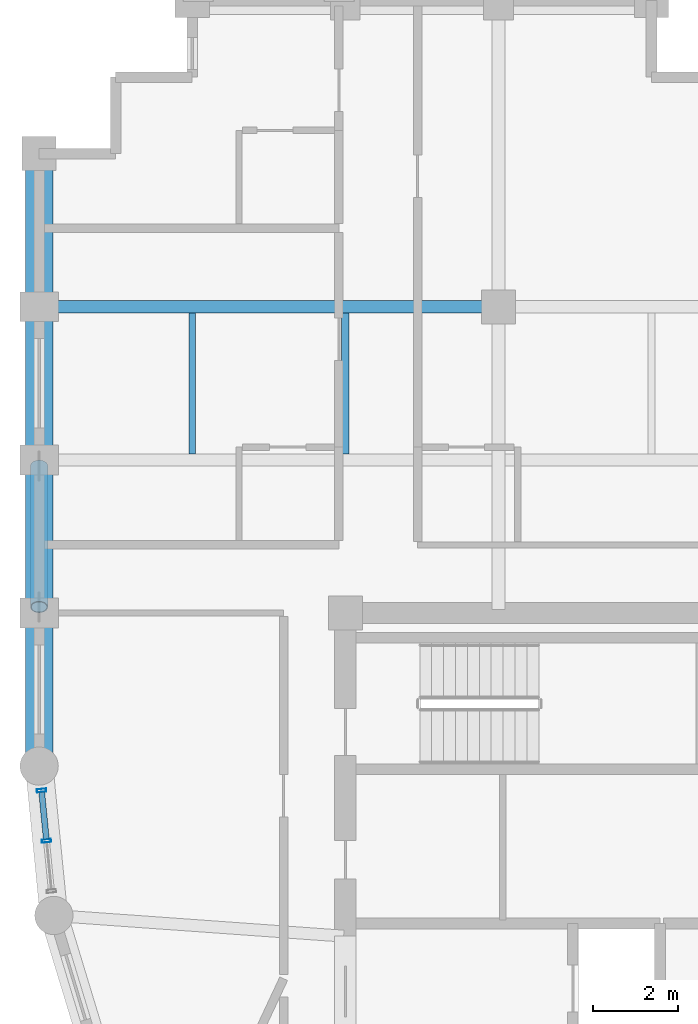
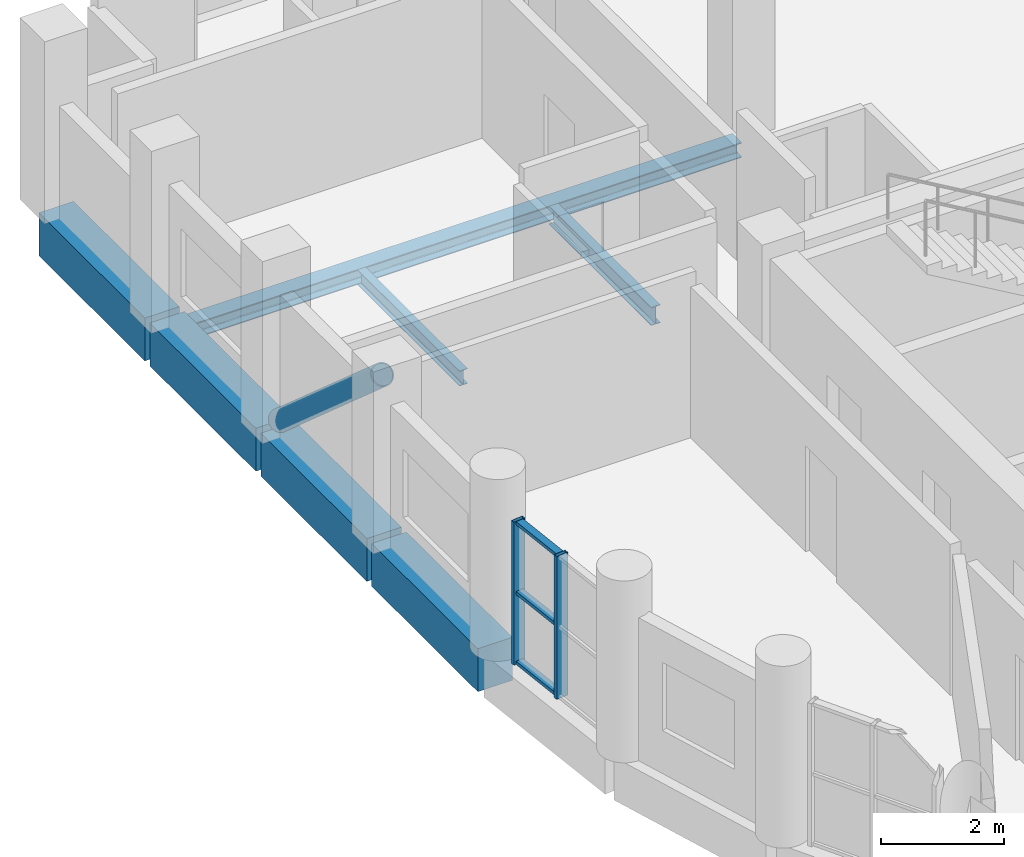
# One storey, part 5 of 11: 7 beams, 6 members, 1 element without a shape of its own.
"""IFC4 building model written with IfcOpenShell, lengths in metres."""

from ifc_helpers import new_model, si_unit, direction, frame, origin, origin_2d, place, context, subcontext, project, spatial, rectangle, hollow_rectangle, hollow_circle, i_section, extrude, material, layer, layer_set, material_profile, profile_set, type_object, element, aggregate, save


model = new_model("IFC4")

# Units and contexts
model_context = context("Model", 3, precision=1e-05, world=origin(), true_north=direction((0.0, 1.0)))
body_context = subcontext(model_context, "Body", "Model", "MODEL_VIEW")
ifc_project = project(units=[si_unit("LENGTHUNIT", "METRE"), si_unit("AREAUNIT", "SQUARE_METRE"), si_unit("VOLUMEUNIT", "CUBIC_METRE"), si_unit("PLANEANGLEUNIT", "RADIAN"), si_unit("MASSUNIT", "GRAM", prefix="KILO")], contexts=[model_context])

# Site, building, storey
site_placement = place(None, origin())
site = spatial("IfcSite", under=ifc_project, at=site_placement, CompositionType="ELEMENT")
building_placement = place(site_placement, origin())
building = spatial("IfcBuilding", under=site, at=building_placement, Name="Solnavia Interchange Tower", CompositionType="ELEMENT")
storey_placement = place(building_placement, frame((0.0, 0.0, 217.39990234375)))
storey = spatial("IfcBuildingStorey", under=building, at=storey_placement, Name="L54", CompositionType="ELEMENT", Elevation=217.39990234375)

# Beams
ifc_material_1 = material(Name="Steel S460", Category="steel")
ifc_material_profile_1 = material_profile(ifc_material_1, i_section(OverallWidth=0.300048828125, OverallDepth=0.300048828125, WebThickness=0.010986328125, FlangeThickness=0.01904296875, FilletRadius=0.027099609375, at=origin_2d()), Name="HEB 300")
ifc_profile_set_1 = profile_set([ifc_material_profile_1], Name="Steel S460")
beam_type_1 = type_object("IfcBeamType", Name="Beam-Girder-HEB300", PredefinedType="BEAM", material=ifc_profile_set_1)
beam_1_placement = place(storey_placement, frame((7.280029296875, 32.39990234375, -0.39990234375), z_axis=(1.0, 0.0, 0.0), x_axis=(0.0, 1.0, 0.0)))
element("IfcBeam", 1, at=beam_1_placement, inside=storey, type_object=beam_type_1, Name="GRD-L54-NW10 North wing primary floor girder", PredefinedType="BEAM", context=body_context, shape_type="SweptSolid", body=[
    extrude(i_section(OverallWidth=0.300048828125, OverallDepth=0.300048828125, WebThickness=0.010986328125, FlangeThickness=0.01904296875, FilletRadius=0.027099609375, at=origin_2d()), origin(), (0.0, 0.0, 1.0), 10.639892578125),
])
ifc_material_2 = material(Name="Steel S355", Category="steel")
ifc_material_profile_2 = material_profile(ifc_material_2, i_section(OverallWidth=0.14990234375, OverallDepth=0.300048828125, WebThickness=0.007080078125, FlangeThickness=0.0107421875, FilletRadius=0.014892578125, at=origin_2d()), Name="IPE 300")
ifc_profile_set_2 = profile_set([ifc_material_profile_2], Name="Steel S355")
beam_type_2 = type_object("IfcBeamType", Name="Beam-Joist-IPE300", PredefinedType="JOIST", material=ifc_profile_set_2)
beam_2_placement = place(storey_placement, frame((10.800048828125, 28.93994140625, -0.39990234375), z_axis=(0.0, 1.0, 0.0), x_axis=(-1.0, 0.0, 0.0)))
element("IfcBeam", 2, at=beam_2_placement, inside=storey, type_object=beam_type_2, Name="JST-L54-N09 North wing secondary joist", PredefinedType="JOIST", context=body_context, shape_type="SweptSolid", body=[
    extrude(i_section(OverallWidth=0.14990234375, OverallDepth=0.300048828125, WebThickness=0.007080078125, FlangeThickness=0.0107421875, FilletRadius=0.014892578125, at=origin_2d()), origin(), (0.0, 0.0, 1.0), 3.31005859375),
])
ifc_material_profile_3 = material_profile(ifc_material_2, i_section(OverallWidth=0.169921875, OverallDepth=0.360107421875, WebThickness=0.008056640625, FlangeThickness=0.0126953125, FilletRadius=0.01806640625, at=origin_2d()), Name="IPE 360")
ifc_profile_set_3 = profile_set([ifc_material_profile_3], Name="Steel S355")
beam_type_3 = type_object("IfcBeamType", Name="Beam-Joist-IPE360", PredefinedType="JOIST", material=ifc_profile_set_3)
beam_3_placement = place(storey_placement, frame((14.39990234375, 28.93994140625, -0.429931640625), z_axis=(0.0, 1.0, 0.0), x_axis=(-1.0, 0.0, 0.0)))
element("IfcBeam", 3, at=beam_3_placement, inside=storey, type_object=beam_type_3, Name="JST-L54-N10 North wing secondary joist", PredefinedType="JOIST", context=body_context, shape_type="SweptSolid", body=[
    extrude(i_section(OverallWidth=0.169921875, OverallDepth=0.360107421875, WebThickness=0.008056640625, FlangeThickness=0.0126953125, FilletRadius=0.01806640625, at=origin_2d()), origin(), (0.0, 0.0, 1.0), 3.31005859375),
])
ifc_material_3 = material(Name="Concrete C50/60", Category="concrete")
ifc_material_profile_4 = material_profile(ifc_material_3, rectangle(XDim=0.64990234375, YDim=0.85009765625, at=origin_2d()), Name="RC 650x850")
ifc_profile_set_4 = profile_set([ifc_material_profile_4], Name="Concrete C50/60")
beam_type_4 = type_object("IfcBeamType", Name="Beam-Spandrel-RC650x850", PredefinedType="SPANDREL", material=ifc_profile_set_4)
beam_4_placement = place(storey_placement, frame((7.199951171875, 35.919921875, -0.4248046875), z_axis=(0.0, -1.0, 0.0), x_axis=(1.0, 0.0, 0.0)))
element("IfcBeam", 4, at=beam_4_placement, inside=storey, type_object=beam_type_4, Name="SPB-L54-30 Framed-tube perimeter spandrel beam", PredefinedType="SPANDREL", context=body_context, shape_type="SweptSolid", body=[
    extrude(rectangle(XDim=0.64990234375, YDim=0.85009765625, at=origin_2d()), origin(), (0.0, 0.0, 1.0), 3.43994140625),
])
beam_5_placement = place(storey_placement, frame((7.199951171875, 32.320068359375, -0.4248046875), z_axis=(0.0, -1.0, 0.0), x_axis=(1.0, 0.0, 0.0)))
element("IfcBeam", 5, at=beam_5_placement, inside=storey, type_object=beam_type_4, Name="SPB-L54-31 Framed-tube perimeter spandrel beam", PredefinedType="SPANDREL", context=body_context, shape_type="SweptSolid", body=[
    extrude(rectangle(XDim=0.64990234375, YDim=0.85009765625, at=origin_2d()), origin(), (0.0, 0.0, 1.0), 3.440185546875),
])
beam_6_placement = place(storey_placement, frame((7.199951171875, 28.719970703125, -0.4248046875), z_axis=(0.0, -1.0, 0.0), x_axis=(1.0, 0.0, 0.0)))
element("IfcBeam", 6, at=beam_6_placement, inside=storey, type_object=beam_type_4, Name="SPB-L54-32 Framed-tube perimeter spandrel beam", PredefinedType="SPANDREL", context=body_context, shape_type="SweptSolid", body=[
    extrude(rectangle(XDim=0.64990234375, YDim=0.85009765625, at=origin_2d()), origin(), (0.0, 0.0, 1.0), 3.43994140625),
])
beam_7_placement = place(storey_placement, frame((7.199951171875, 25.1201171875, -0.4248046875), z_axis=(0.0, -1.0, 0.0), x_axis=(1.0, 0.0, 0.0)))
element("IfcBeam", 7, at=beam_7_placement, inside=storey, type_object=beam_type_4, Name="SPB-L54-33 Framed-tube perimeter spandrel beam", PredefinedType="SPANDREL", context=body_context, shape_type="SweptSolid", body=[
    extrude(rectangle(XDim=0.64990234375, YDim=0.85009765625, at=origin_2d()), origin(), (0.0, 0.0, 1.0), 3.440185546875),
])

# Member
ifc_material_profile_5 = material_profile(ifc_material_1, hollow_circle(Radius=0.203125, WallThickness=0.02001953125, at=origin_2d()), Name="CHS 406.4x20")
ifc_profile_set_5 = profile_set([ifc_material_profile_5], Name="Steel S460")
member_type_1 = type_object("IfcMemberType", Name="Brace-Perim-CHS406", PredefinedType="BRACE", material=ifc_profile_set_5)
member_1_placement = place(storey_placement, frame((7.199951171875, 28.659912109375, 0.18017578125), z_axis=(0.0, -0.750884380672, 0.660433680897), x_axis=(1.0, 0.0, 0.0)))
element("IfcMember", 8, at=member_1_placement, inside=storey, type_object=member_type_1, Name="BRC-L54-02 Perimeter tube diagonal brace", PredefinedType="BRACE", context=body_context, shape_type="SweptSolid", body=[
    extrude(hollow_circle(Radius=0.203125, WallThickness=0.02001953125, at=origin_2d()), origin(), (0.0, 0.0, 1.0), 4.421142578125),
])

# Curtain wall, members
ifc_material_4 = material(Name="Aluminium Alloy 6063-T6", Category="aluminium")
ifc_layer = layer(ifc_material_4, 0.239990234375)
ifc_layer_set = layer_set([ifc_layer], Name="Aluminium Alloy 6063-T6")
curtain_wall_type = type_object("IfcCurtainWallType", Name="CurtainWall-Drum-CTW2", PredefinedType="NOTDEFINED", material=ifc_layer_set)
curtain_wall_placement = place(storey_placement, origin())
curtain_wall = element("IfcCurtainWall", 9, at=curtain_wall_placement, inside=storey, type_object=curtain_wall_type, Name="CTW-L54-D47 CTW-2 curtain wall", PredefinedType="NOTDEFINED")
ifc_material_profile_6 = material_profile(ifc_material_4, hollow_rectangle(XDim=0.074951171875, YDim=0.219970703125, WallThickness=0.0048828125, at=origin_2d()), Name="ALU 220x75x5")
ifc_profile_set_6 = profile_set([ifc_material_profile_6], Name="Aluminium Alloy 6063-T6")
member_type_2 = type_object("IfcMemberType", Name="CW-Mullion-CWM-2", PredefinedType="MULLION", material=ifc_profile_set_6)
member_2_placement = place(storey_placement, frame((7.25634765625, 21.02783203125, 0.0), z_axis=(0.0, 0.0, 1.0), x_axis=(0.098043088306, -0.995182170678, 0.0)))
member_2 = element("IfcMember", 10, at=member_2_placement, type_object=member_type_2, Name="CTW-2 mullion 1", PredefinedType="MULLION", context=body_context, shape_type="SweptSolid", body=[
    extrude(hollow_rectangle(XDim=0.074951171875, YDim=0.219970703125, WallThickness=0.0048828125, at=origin_2d()), origin(), (0.0, 0.0, 1.0), 2.830078125),
])
member_3_placement = place(storey_placement, frame((7.373046875, 19.843994140625, 0.0), z_axis=(0.0, 0.0, 1.0), x_axis=(0.098043088306, -0.995182170678, 0.0)))
member_3 = element("IfcMember", 11, at=member_3_placement, type_object=member_type_2, Name="CTW-2 mullion 2", PredefinedType="MULLION", context=body_context, shape_type="SweptSolid", body=[
    extrude(hollow_rectangle(XDim=0.074951171875, YDim=0.219970703125, WallThickness=0.0048828125, at=origin_2d()), origin(), (0.0, 0.0, 1.0), 2.830078125),
])
ifc_material_profile_7 = material_profile(ifc_material_4, hollow_rectangle(XDim=0.06494140625, YDim=0.139892578125, WallThickness=0.00390625, at=origin_2d()), Name="ALU 140x65x4")
ifc_profile_set_7 = profile_set([ifc_material_profile_7], Name="Aluminium Alloy 6063-T6")
member_type_3 = type_object("IfcMemberType", Name="CW-Transom-CWT-2", PredefinedType="USERDEFINED", material=ifc_profile_set_7)
member_4_placement = place(storey_placement, frame((7.260009765625, 20.990478515625, 0.03271484375), z_axis=(0.098137234257, -0.995172891136, 0.0), x_axis=(0.0, 0.0, 1.0)))
member_4 = element("IfcMember", 12, at=member_4_placement, type_object=member_type_3, Name="CTW-2 transom 1.1", ObjectType="TRANSOM", PredefinedType="USERDEFINED", context=body_context, shape_type="SweptSolid", body=[
    extrude(hollow_rectangle(XDim=0.06494140625, YDim=0.139892578125, WallThickness=0.00390625, at=origin_2d()), origin(), (0.0, 0.0, 1.0), 1.114501953125),
])
member_5_placement = place(storey_placement, frame((7.260009765625, 20.990478515625, 1.4150390625), z_axis=(0.098137234257, -0.995172891136, 0.0), x_axis=(0.0, 0.0, 1.0)))
member_5 = element("IfcMember", 13, at=member_5_placement, type_object=member_type_3, Name="CTW-2 transom 1.2", ObjectType="TRANSOM", PredefinedType="USERDEFINED", context=body_context, shape_type="SweptSolid", body=[
    extrude(hollow_rectangle(XDim=0.06494140625, YDim=0.139892578125, WallThickness=0.00390625, at=origin_2d()), origin(), (0.0, 0.0, 1.0), 1.114501953125),
])
member_6_placement = place(storey_placement, frame((7.260009765625, 20.990478515625, 2.797607421875), z_axis=(0.098137234257, -0.995172891136, 0.0), x_axis=(0.0, 0.0, 1.0)))
member_6 = element("IfcMember", 14, at=member_6_placement, type_object=member_type_3, Name="CTW-2 transom 1.3", ObjectType="TRANSOM", PredefinedType="USERDEFINED", context=body_context, shape_type="SweptSolid", body=[
    extrude(hollow_rectangle(XDim=0.06494140625, YDim=0.139892578125, WallThickness=0.00390625, at=origin_2d()), origin(), (0.0, 0.0, 1.0), 1.114501953125),
])
aggregate(curtain_wall, [member_2, member_3, member_4, member_5, member_6])

save(model, "model.ifc")
